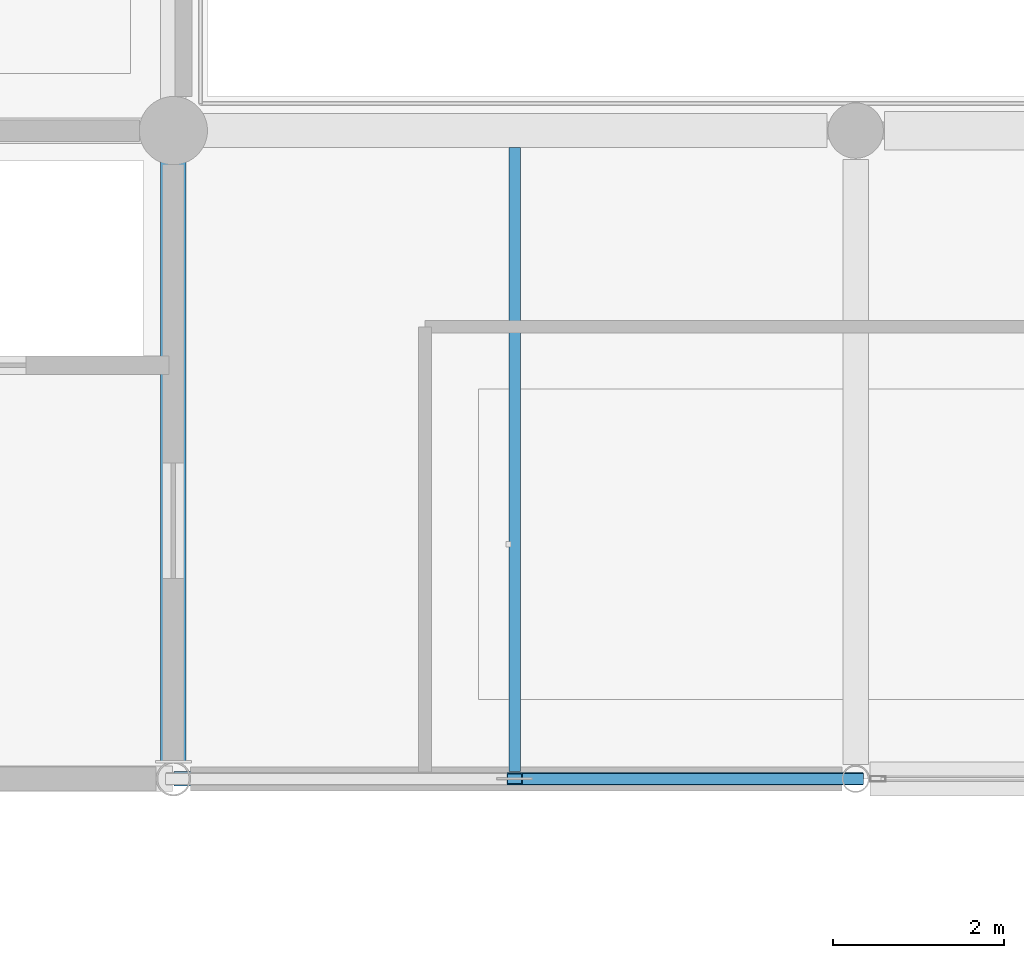
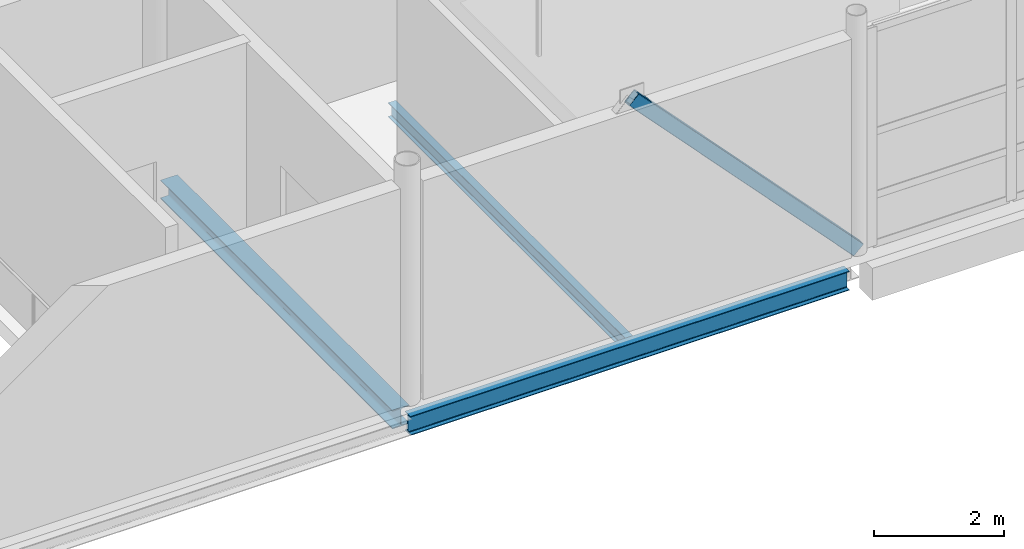
# One storey, part 28 of 107: 3 beams, 1 member.
"""IFC4 building model written with IfcOpenShell, lengths in metres."""

from ifc_helpers import new_model, si_unit, direction, frame, origin, origin_2d, place, context, subcontext, project, spatial, hollow_rectangle, i_section, extrude, material, material_profile, profile_set, type_object, element, save


model = new_model("IFC4")

# Units and contexts
model_context = context("Model", 3, precision=1e-05, world=origin(), true_north=direction((0.0, 1.0)))
body_context = subcontext(model_context, "Body", "Model", "MODEL_VIEW")
ifc_project = project(units=[si_unit("LENGTHUNIT", "METRE"), si_unit("AREAUNIT", "SQUARE_METRE"), si_unit("VOLUMEUNIT", "CUBIC_METRE"), si_unit("PLANEANGLEUNIT", "RADIAN"), si_unit("MASSUNIT", "GRAM", prefix="KILO")], contexts=[model_context])

# Site, building, storey
site_placement = place(None, origin())
site = spatial("IfcSite", under=ifc_project, at=site_placement, CompositionType="ELEMENT")
building_placement = place(site_placement, origin())
building = spatial("IfcBuilding", under=site, at=building_placement, Name="Khelvaren Railside Concert Hall", CompositionType="ELEMENT")
storey_placement = place(building_placement, frame((0.0, 0.0, 15.0)))
storey = spatial("IfcBuildingStorey", under=building, at=storey_placement, Name="L03", CompositionType="ELEMENT", Elevation=15.0)

# Beam
ifc_material = material(Name="Steel S355", Category="steel")
ifc_material_profile_1 = material_profile(ifc_material, i_section(OverallWidth=0.300048828125, OverallDepth=0.35009765625, WebThickness=0.010009765625, FlangeThickness=0.017578125, FilletRadius=0.027099609375, at=origin_2d()), Name="HEA 360")
ifc_profile_set_1 = profile_set([ifc_material_profile_1], Name="Steel S355")
beam_type_1 = type_object("IfcBeamType", Name="BM73", PredefinedType="BEAM", material=ifc_profile_set_1)
beam_1_placement = place(storey_placement, frame((152.0, 0.195068359375, -0.455078125), z_axis=(0.0, 1.0, 0.0), x_axis=(-1.0, 0.0, 0.0)))
element("IfcBeam", 1, at=beam_1_placement, inside=storey, type_object=beam_type_1, Name="V2 L03 Beam Y2.1", PredefinedType="BEAM", context=body_context, shape_type="SweptSolid", body=[
    extrude(i_section(OverallWidth=0.300048828125, OverallDepth=0.35009765625, WebThickness=0.010009765625, FlangeThickness=0.017578125, FilletRadius=0.027099609375, at=origin_2d()), origin(), (0.0, 0.0, 1.0), 7.155029296875),
])

# Member
ifc_material_profile_2 = material_profile(ifc_material, hollow_rectangle(XDim=0.14990234375, YDim=0.25, WallThickness=0.012451171875, InnerFilletRadius=0.012451171875, OuterFilletRadius=0.01904296875, at=origin_2d()), Name="RHS 250x150x12.5")
ifc_profile_set_2 = profile_set([ifc_material_profile_2], Name="Steel S355")
member_type = type_object("IfcMemberType", Name="BR52", PredefinedType="BRACE", material=ifc_profile_set_2)
member_placement = place(storey_placement, frame((160.0, 0.0, 0.050048828125), z_axis=(-0.687079015736, 0.0, 0.726582704263), x_axis=(0.0, -1.0, 0.0)))
element("IfcMember", 2, at=member_placement, inside=storey, type_object=member_type, Name="V2 L03 Seismic Chevron Brace 56", PredefinedType="BRACE", context=body_context, shape_type="SweptSolid", body=[
    extrude(hollow_rectangle(XDim=0.14990234375, YDim=0.25, WallThickness=0.012451171875, InnerFilletRadius=0.012451171875, OuterFilletRadius=0.01904296875, at=origin_2d()), origin(), (0.0, 0.0, 1.0), 5.82177734375),
])

# Beams
ifc_material_profile_3 = material_profile(ifc_material, i_section(OverallWidth=0.135009765625, OverallDepth=0.27001953125, WebThickness=0.006591796875, FlangeThickness=0.01025390625, FilletRadius=0.014892578125, at=origin_2d()), Name="IPE 270")
ifc_profile_set_3 = profile_set([ifc_material_profile_3], Name="Steel S355")
beam_type_2 = type_object("IfcBeamType", Name="JS78", PredefinedType="JOIST", material=ifc_profile_set_3)
beam_2_placement = place(storey_placement, frame((156.0, 0.0849609375, -0.4150390625), z_axis=(0.0, 1.0, 0.0), x_axis=(-1.0, 0.0, 0.0)))
element("IfcBeam", 3, at=beam_2_placement, inside=storey, type_object=beam_type_2, Name="V2 L03 Secondary Joist 2.1", PredefinedType="JOIST", context=body_context, shape_type="SweptSolid", body=[
    extrude(i_section(OverallWidth=0.135009765625, OverallDepth=0.27001953125, WebThickness=0.006591796875, FlangeThickness=0.01025390625, FilletRadius=0.014892578125, at=origin_2d()), origin(), (0.0, 0.0, 1.0), 7.31494140625),
])
ifc_material_profile_4 = material_profile(ifc_material, i_section(OverallWidth=0.169921875, OverallDepth=0.360107421875, WebThickness=0.008056640625, FlangeThickness=0.0126953125, FilletRadius=0.01806640625, at=origin_2d()), Name="IPE 360")
ifc_profile_set_4 = profile_set([ifc_material_profile_4], Name="Steel S355")
beam_type_3 = type_object("IfcBeamType", Name="SP74", PredefinedType="SPANDREL", material=ifc_profile_set_4)
beam_3_placement = place(storey_placement, frame((152.010009765625, 0.0, -0.4599609375), z_axis=(1.0, 0.0, 0.0), x_axis=(0.0, 1.0, 0.0)))
element("IfcBeam", 4, at=beam_3_placement, inside=storey, type_object=beam_type_3, Name="V2 L03 Spandrel X1.2", PredefinedType="SPANDREL", context=body_context, shape_type="SweptSolid", body=[
    extrude(i_section(OverallWidth=0.169921875, OverallDepth=0.360107421875, WebThickness=0.008056640625, FlangeThickness=0.0126953125, FilletRadius=0.01806640625, at=origin_2d()), origin(), (0.0, 0.0, 1.0), 7.8193359375),
])

save(model, "model.ifc")
